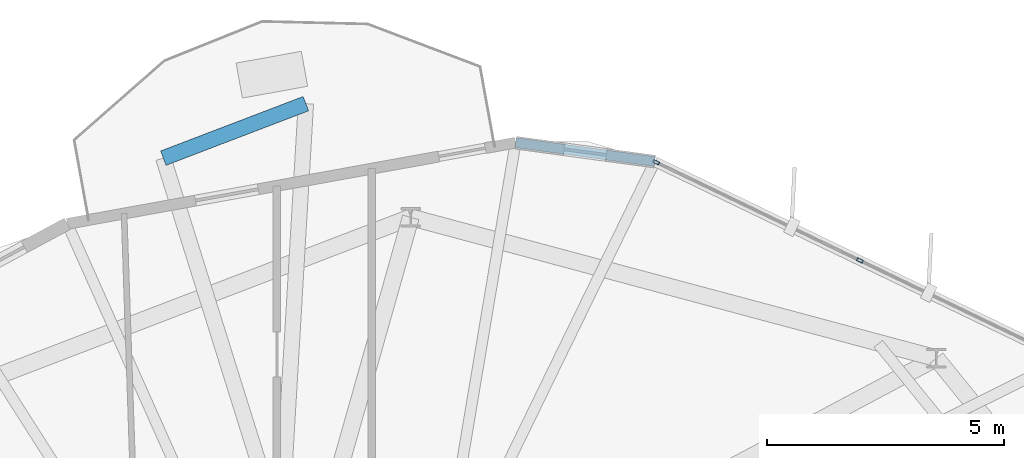
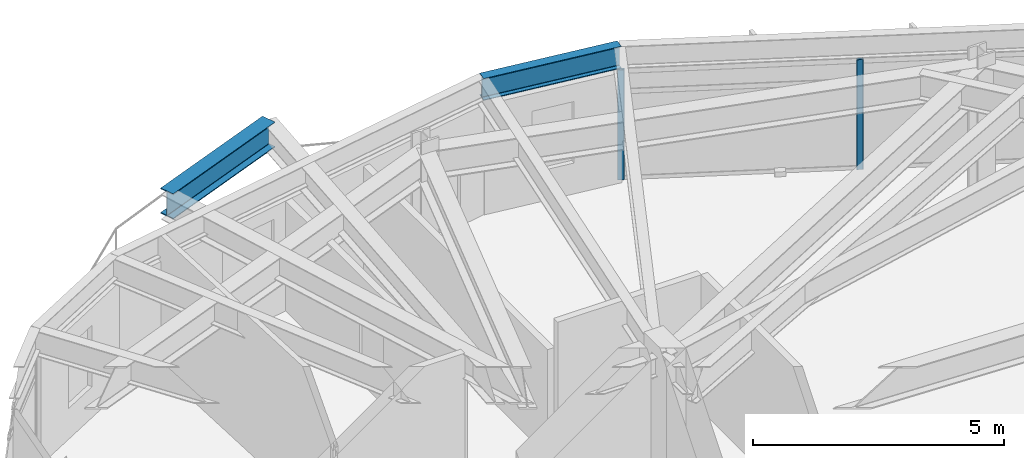
# One storey, part 19 of 27: 2 beams, 2 members, 1 element without a shape of its own.
"""IFC4 building model written with IfcOpenShell, lengths in metres."""

from ifc_helpers import new_model, si_unit, direction, frame, origin, origin_2d, place, context, subcontext, project, spatial, hollow_rectangle, i_section, extrude, material, layer, layer_set, material_profile, profile_set, type_object, element, aggregate, save


model = new_model("IFC4")

# Units and contexts
model_context = context("Model", 3, precision=1e-05, world=origin(), true_north=direction((0.0, 1.0)))
body_context = subcontext(model_context, "Body", "Model", "MODEL_VIEW")
ifc_project = project(units=[si_unit("LENGTHUNIT", "METRE"), si_unit("AREAUNIT", "SQUARE_METRE"), si_unit("VOLUMEUNIT", "CUBIC_METRE"), si_unit("PLANEANGLEUNIT", "RADIAN"), si_unit("MASSUNIT", "GRAM", prefix="KILO")], contexts=[model_context])

# Site, building, storey
site_placement = place(None, origin())
site = spatial("IfcSite", under=ifc_project, at=site_placement, CompositionType="ELEMENT")
building_placement = place(site_placement, origin())
building = spatial("IfcBuilding", under=site, at=building_placement, Name="Soratama Intermodal Tower", CompositionType="ELEMENT")
storey_placement = place(building_placement, frame((0.0, 0.0, 208.60009765625)))
storey = spatial("IfcBuildingStorey", under=building, at=storey_placement, Name="L52", CompositionType="ELEMENT", Elevation=208.60009765625)

# Beams
ifc_material_1 = material(Name="Structural steel ASTM A992 Grade 50", Category="steel")
ifc_material_profile_1 = material_profile(ifc_material_1, i_section(OverallWidth=0.324951171875, OverallDepth=0.615966796875, WebThickness=0.013916015625, FlangeThickness=0.021484375, FilletRadius=0.013916015625, at=origin_2d()), Name="W24X117")
ifc_profile_set_1 = profile_set([ifc_material_profile_1], Name="Structural steel ASTM A992 Grade 50")
beam_type_1 = type_object("IfcBeamType", Name="BM-CANT-W24X117", PredefinedType="BEAM", material=ifc_profile_set_1)
beam_1_placement = place(storey_placement, frame((41.81103515625, 45.97705078125, 2.991943359375), z_axis=(-0.934104568506, -0.356999516941, 0.0), x_axis=(0.356999516941, -0.934104568506, 0.0)))
element("IfcBeam", 1, at=beam_1_placement, inside=storey, type_object=beam_type_1, Name="BM-L52-CBHDR-1", PredefinedType="BEAM", context=body_context, shape_type="SweptSolid", body=[
    extrude(i_section(OverallWidth=0.324951171875, OverallDepth=0.615966796875, WebThickness=0.013916015625, FlangeThickness=0.021484375, FilletRadius=0.013916015625, at=origin_2d()), origin(), (0.0, 0.0, 1.0), 3.224365234375),
])
ifc_material_2 = material(Name="Structural steel ASTM A992 Grade 50", Category="steel")
ifc_material_profile_2 = material_profile(ifc_material_2, i_section(OverallWidth=0.2099609375, OverallDepth=0.537109375, WebThickness=0.010986328125, FlangeThickness=0.017333984375, FilletRadius=0.012939453125, at=origin_2d()), Name="W21X68")
ifc_profile_set_2 = profile_set([ifc_material_profile_2], Name="Structural steel ASTM A992 Grade 50")
beam_type_2 = type_object("IfcBeamType", Name="BM-SPN-W21X68", PredefinedType="SPANDREL", material=ifc_profile_set_2)
beam_2_placement = place(storey_placement, frame((49.181884765625, 44.75390625, 3.031494140625), z_axis=(-0.990864185144, 0.134863510999, 0.0), x_axis=(-0.134863510999, -0.990864185144, 0.0)))
element("IfcBeam", 2, at=beam_2_placement, inside=storey, type_object=beam_type_2, Name="BS-L52-CRN01", PredefinedType="SPANDREL", context=body_context, shape_type="SweptSolid", body=[
    extrude(i_section(OverallWidth=0.2099609375, OverallDepth=0.537109375, WebThickness=0.010986328125, FlangeThickness=0.017333984375, FilletRadius=0.012939453125, at=origin_2d()), origin(), (0.0, 0.0, 1.0), 2.967041015625),
])

# Curtain wall, members
ifc_material_3 = material(Name="Double-glazed aluminium curtain wall", Category="aluminium")
ifc_layer = layer(ifc_material_3, 0.159912109375)
ifc_layer_set = layer_set([ifc_layer], Name="Double-glazed aluminium curtain wall")
curtain_wall_type = type_object("IfcCurtainWallType", Name="CW-SYS-5", PredefinedType="NOTDEFINED", material=ifc_layer_set)
curtain_wall_placement = place(storey_placement, origin())
curtain_wall = element("IfcCurtainWall", 3, at=curtain_wall_placement, inside=storey, type_object=curtain_wall_type, Name="L52 Faceted Curtain Wall F01", PredefinedType="NOTDEFINED")
ifc_material_4 = material(Name="Anodised aluminium AA 6063-T6", Category="aluminium")
ifc_material_profile_3 = material_profile(ifc_material_4, hollow_rectangle(XDim=0.06494140625, YDim=0.139892578125, WallThickness=0.0048828125, InnerFilletRadius=0.0048828125, OuterFilletRadius=0.010009765625, at=origin_2d()), Name="CWM140X65X5")
ifc_profile_set_3 = profile_set([ifc_material_profile_3], Name="Anodised aluminium AA 6063-T6")
member_type = type_object("IfcMemberType", Name="MT-CWM-5", PredefinedType="MULLION", material=ifc_profile_set_3)
member_1_placement = place(storey_placement, frame((53.516357421875, 42.6640625, 0.0), z_axis=(0.0, 0.0, 1.0), x_axis=(-0.434286991077, -0.900774560798, 0.0)))
member_1 = element("IfcMember", 4, at=member_1_placement, type_object=member_type, Name="CW-5 mullion 2", PredefinedType="MULLION", context=body_context, shape_type="SweptSolid", body=[
    extrude(hollow_rectangle(XDim=0.06494140625, YDim=0.139892578125, WallThickness=0.0048828125, InnerFilletRadius=0.0048828125, OuterFilletRadius=0.010009765625, at=origin_2d()), origin(), (0.0, 0.0, 1.0), 2.678955078125),
])
member_2_placement = place(storey_placement, frame((49.208740234375, 44.740966796875, 0.0), z_axis=(0.0, 0.0, 1.0), x_axis=(-0.434286991077, -0.900774560798, 0.0)))
member_2 = element("IfcMember", 5, at=member_2_placement, type_object=member_type, Name="CW-5 mullion 3", PredefinedType="MULLION", context=body_context, shape_type="SweptSolid", body=[
    extrude(hollow_rectangle(XDim=0.06494140625, YDim=0.139892578125, WallThickness=0.0048828125, InnerFilletRadius=0.0048828125, OuterFilletRadius=0.010009765625, at=origin_2d()), origin(), (0.0, 0.0, 1.0), 2.678955078125),
])
aggregate(curtain_wall, [member_1, member_2])

save(model, "model.ifc")
